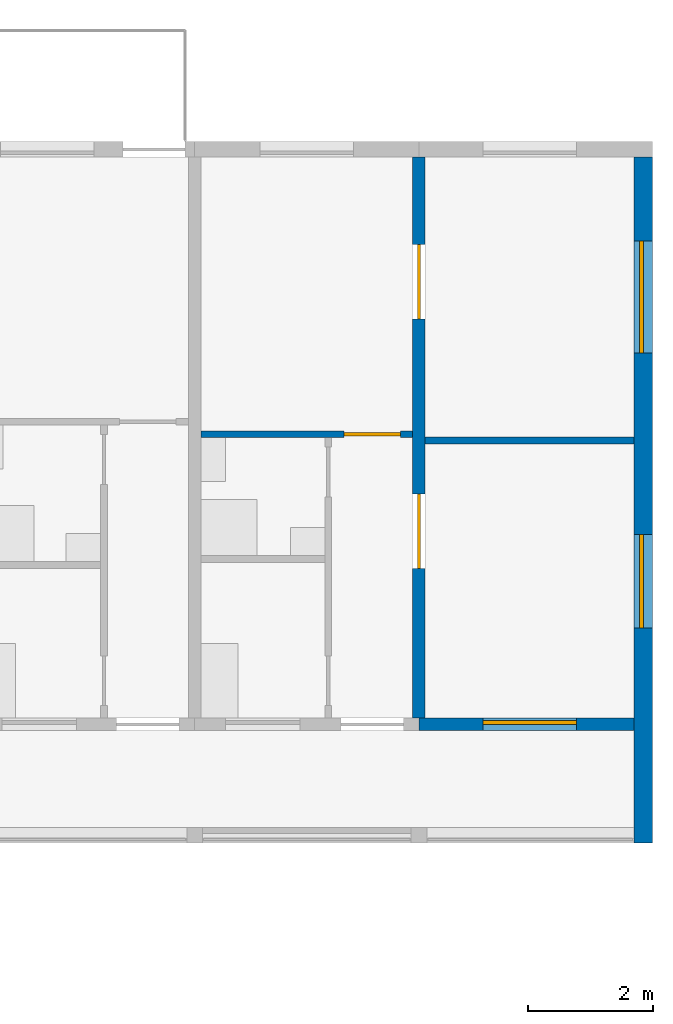
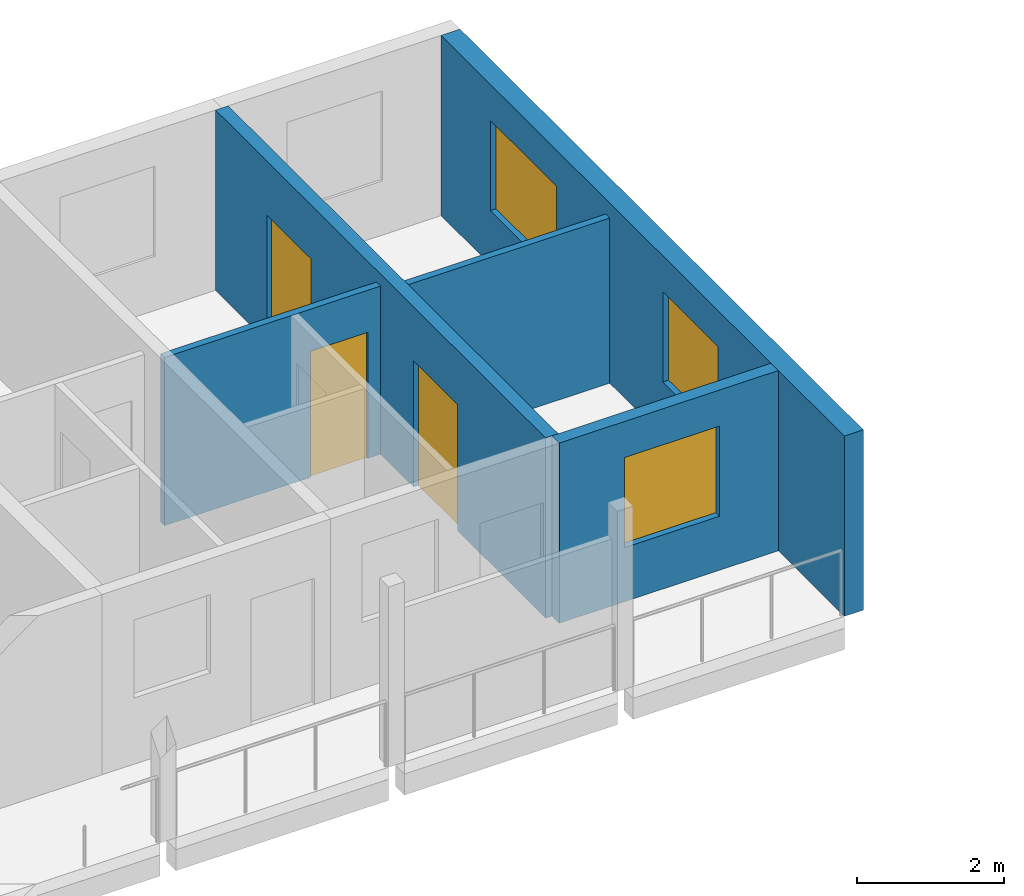
# One storey, part 58 of 93: 5 walls, 3 doors, 3 windows, 6 openings.
"""IFC4 building model written with IfcOpenShell, lengths in metres."""

from ifc_helpers import new_model, si_unit, direction, frame, frame_2d, origin, place, context, subcontext, project, spatial, rectangle, extrude, material, layer, layer_set, type_object, element, fill, save


model = new_model("IFC4")

# Units and contexts
model_context = context("Model", 3, precision=1e-05, world=origin(), true_north=direction((0.0, 1.0)))
body_context = subcontext(model_context, "Body", "Model", "MODEL_VIEW")
ifc_project = project(units=[si_unit("LENGTHUNIT", "METRE"), si_unit("AREAUNIT", "SQUARE_METRE"), si_unit("VOLUMEUNIT", "CUBIC_METRE"), si_unit("PLANEANGLEUNIT", "RADIAN"), si_unit("MASSUNIT", "GRAM", prefix="KILO")], contexts=[model_context])

# Site, building, storey
site_placement = place(None, origin())
site = spatial("IfcSite", under=ifc_project, at=site_placement, CompositionType="ELEMENT")
building_placement = place(site_placement, origin())
building = spatial("IfcBuilding", under=site, at=building_placement, Name="Ridgestep Commons", CompositionType="ELEMENT")
storey_placement = place(building_placement, frame((0.0, 0.0, 18.0)))
storey = spatial("IfcBuildingStorey", under=building, at=storey_placement, Name="L06", CompositionType="ELEMENT", Elevation=18.0)

# Wall, openings, doors
ifc_material_1 = material(Name="Precast concrete C40/50", Category="concrete")
ifc_layer_1 = layer(ifc_material_1, 0.199951171875)
ifc_layer_set_1 = layer_set([ifc_layer_1], Name="Cross wall 200")
wall_type_1 = type_object("IfcWallType", Name="Cross wall 200", PredefinedType="SHEAR", material=ifc_layer_set_1)
wall_1_placement = place(storey_placement, frame((244.0, 68.0, 0.0), z_axis=(0.0, 0.0, 1.0), x_axis=(0.0, 1.0, 0.0)))
wall_1 = element("IfcWall", 1, at=wall_1_placement, inside=storey, type_object=wall_type_1, Name="Cross wall C-06-2440", PredefinedType="SHEAR", context=body_context, shape_type="SweptSolid", body=[
    extrude(rectangle(XDim=9.0, YDim=0.199951171875, at=frame_2d((4.5, 0.0))), origin(), (0.0, 0.0, 1.0), 3.0),
])
opening_1_placement = place(wall_1_placement, frame((2.39990234375, 0.0, 0.0)))
opening_1 = element("IfcOpeningElement", 2, at=opening_1_placement, cuts=wall_1, Name="Opening C6-06a/5", PredefinedType="OPENING", context=body_context, shape_type="SweptSolid", body=[
    extrude(rectangle(XDim=1.199951171875, YDim=2.10009765625, at=frame_2d((0.60009765625, 1.050048828125))), frame((0.0, 0.10986328125, 0.0), z_axis=(0.0, -1.0, 0.0), x_axis=(1.0, 0.0, 0.0)), (0.0, 0.0, 1.0), 0.219970703125),
])
opening_2_placement = place(wall_1_placement, frame((6.39990234375, 0.0, 0.0)))
opening_2 = element("IfcOpeningElement", 3, at=opening_2_placement, cuts=wall_1, Name="Opening C6-06a/6", PredefinedType="OPENING", context=body_context, shape_type="SweptSolid", body=[
    extrude(rectangle(XDim=1.199951171875, YDim=2.10009765625, at=frame_2d((0.60009765625, 1.050048828125))), frame((0.0, 0.10986328125, 0.0), z_axis=(0.0, -1.0, 0.0), x_axis=(1.0, 0.0, 0.0)), (0.0, 0.0, 1.0), 0.219970703125),
])
ifc_material_2 = material(Name="Timber door leaf", Category="wood")
door_type_1 = type_object("IfcDoorType", Name="Double door 1200 x 2100", OperationType="DOUBLE_DOOR_SINGLE_SWING", PredefinedType="DOOR", material=ifc_material_2)
door_1_placement = place(opening_1_placement, origin())
door_1 = element("IfcDoor", 4, at=door_1_placement, inside=storey, type_object=door_type_1, Name="Double door C6-06a/5", OperationType="DOUBLE_DOOR_SINGLE_SWING", OverallHeight=2.10009765625, OverallWidth=1.199951171875, PredefinedType="DOOR", context=body_context, shape_type="SweptSolid", body=[
    extrude(rectangle(XDim=1.199951171875, YDim=2.10009765625, at=frame_2d((0.60009765625, 1.050048828125))), frame((0.0, 0.02490234375, 0.0), z_axis=(0.0, -1.0, 0.0), x_axis=(1.0, 0.0, 0.0)), (0.0, 0.0, 1.0), 0.050048828125),
])
fill(opening_1, door_1)
door_2_placement = place(opening_2_placement, origin())
door_2 = element("IfcDoor", 5, at=door_2_placement, inside=storey, type_object=door_type_1, Name="Double door C6-06a/6", OperationType="DOUBLE_DOOR_SINGLE_SWING", OverallHeight=2.10009765625, OverallWidth=1.199951171875, PredefinedType="DOOR", context=body_context, shape_type="SweptSolid", body=[
    extrude(rectangle(XDim=1.199951171875, YDim=2.10009765625, at=frame_2d((0.60009765625, 1.050048828125))), frame((0.0, 0.02490234375, 0.0), z_axis=(0.0, -1.0, 0.0), x_axis=(1.0, 0.0, 0.0)), (0.0, 0.0, 1.0), 0.050048828125),
])
fill(opening_2, door_2)

# Wall, openings, windows
ifc_material_3 = material(Name="Precast concrete C40/50", Category="concrete")
ifc_layer_2 = layer(ifc_material_3, 0.300048828125)
ifc_layer_set_2 = layer_set([ifc_layer_2], Name="Exposed division wall 300")
wall_type_2 = type_object("IfcWallType", Name="Exposed division wall 300", PredefinedType="SHEAR", material=ifc_layer_set_2)
wall_2_placement = place(storey_placement, frame((247.60009765625, 66.0, 0.0), z_axis=(0.0, 0.0, 1.0), x_axis=(0.0, 1.0, 0.0)))
wall_2 = element("IfcWall", 6, at=wall_2_placement, inside=storey, type_object=wall_type_2, Name="Cross wall C-06-2476", PredefinedType="SHEAR", context=body_context, shape_type="SweptSolid", body=[
    extrude(rectangle(XDim=11.0, YDim=0.300048828125, at=frame_2d((5.5, 0.0))), origin(), (0.0, 0.0, 1.0), 3.0),
])
opening_3_placement = place(wall_2_placement, frame((3.449951171875, 0.0, 0.89990234375)))
opening_3 = element("IfcOpeningElement", 7, at=opening_3_placement, cuts=wall_2, Name="Opening W16", PredefinedType="OPENING", context=body_context, shape_type="SweptSolid", body=[
    extrude(rectangle(XDim=1.5, YDim=1.5, at=frame_2d((0.75, 0.75))), frame((0.0, 0.159912109375, 0.0), z_axis=(0.0, -1.0, 0.0), x_axis=(1.0, 0.0, 0.0)), (0.0, 0.0, 1.0), 0.320068359375),
])
opening_4_placement = place(wall_2_placement, frame((7.85498046875, 0.0, 0.89990234375)))
opening_4 = element("IfcOpeningElement", 8, at=opening_4_placement, cuts=wall_2, Name="Opening W20", PredefinedType="OPENING", context=body_context, shape_type="SweptSolid", body=[
    extrude(rectangle(XDim=1.800048828125, YDim=1.5, at=frame_2d((0.89990234375, 0.75))), frame((0.0, 0.159912109375, 0.0), z_axis=(0.0, -1.0, 0.0), x_axis=(1.0, 0.0, 0.0)), (0.0, 0.0, 1.0), 0.320068359375),
])
ifc_material_4 = material(Name="Aluminium 6063-T6 and glass", Category="aluminium")
window_type_1 = type_object("IfcWindowType", Name="Flat window 1500 x 1500", PartitioningType="DOUBLE_PANEL_VERTICAL", PredefinedType="WINDOW", material=ifc_material_4)
window_1_placement = place(opening_3_placement, origin())
window_1 = element("IfcWindow", 9, at=window_1_placement, inside=storey, type_object=window_type_1, Name="Window C6-06a 5", OverallHeight=1.5, OverallWidth=1.5, PartitioningType="SINGLE_PANEL", PredefinedType="WINDOW", context=body_context, shape_type="SweptSolid", body=[
    extrude(rectangle(XDim=1.5, YDim=1.5, at=frame_2d((0.75, 0.75))), frame((0.0, 0.06005859375, 0.0), z_axis=(0.0, -1.0, 0.0), x_axis=(1.0, 0.0, 0.0)), (0.0, 0.0, 1.0), 0.06005859375),
])
fill(opening_3, window_1)
ifc_material_5 = material(Name="Aluminium 6063-T6 and glass", Category="aluminium")
window_type_2 = type_object("IfcWindowType", Name="Flat window 1800 x 1500", PartitioningType="DOUBLE_PANEL_VERTICAL", PredefinedType="WINDOW", material=ifc_material_5)
window_2_placement = place(opening_4_placement, origin())
window_2 = element("IfcWindow", 10, at=window_2_placement, inside=storey, type_object=window_type_2, Name="Window C6-06a 6", OverallHeight=1.5, OverallWidth=1.800048828125, PartitioningType="SINGLE_PANEL", PredefinedType="WINDOW", context=body_context, shape_type="SweptSolid", body=[
    extrude(rectangle(XDim=1.800048828125, YDim=1.5, at=frame_2d((0.89990234375, 0.75))), frame((0.0, 0.06005859375, 0.0), z_axis=(0.0, -1.0, 0.0), x_axis=(1.0, 0.0, 0.0)), (0.0, 0.0, 1.0), 0.06005859375),
])
fill(opening_4, window_2)

# Wall, opening, door
ifc_material_6 = material(Name="Common brick 110 mm", Category="masonry")
ifc_layer_3 = layer(ifc_material_6, 0.110107421875)
ifc_layer_set_3 = layer_set([ifc_layer_3], Name="Partition 110")
wall_type_3 = type_object("IfcWallType", Name="Partition 110", PredefinedType="PARTITIONING", material=ifc_layer_set_3)
wall_3_placement = place(storey_placement, frame((240.5, 72.554931640625, 0.0), z_axis=(0.0, 0.0, 1.0), x_axis=(1.0, 0.0, 0.0)))
wall_3 = element("IfcWall", 11, at=wall_3_placement, inside=storey, type_object=wall_type_3, Name="Partition C6-06a", PredefinedType="PARTITIONING", context=body_context, shape_type="SweptSolid", body=[
    extrude(rectangle(XDim=3.39990234375, YDim=0.110107421875, at=frame_2d((1.699951171875, 0.0))), origin(), (0.0, 0.0, 1.0), 2.800048828125),
])
opening_5_placement = place(wall_3_placement, frame((2.300048828125, 0.0, 0.0)))
opening_5 = element("IfcOpeningElement", 12, at=opening_5_placement, cuts=wall_3, Name="Opening C6-06a/4", PredefinedType="OPENING", context=body_context, shape_type="SweptSolid", body=[
    extrude(rectangle(XDim=0.89990234375, YDim=2.10009765625, at=frame_2d((0.449951171875, 1.050048828125))), frame((0.0, 0.06494140625, 0.0), z_axis=(0.0, -1.0, 0.0), x_axis=(1.0, 0.0, 0.0)), (0.0, 0.0, 1.0), 0.130126953125),
])
ifc_material_7 = material(Name="Timber door leaf", Category="wood")
door_type_2 = type_object("IfcDoorType", Name="Internal door 900 x 2100", OperationType="NOTDEFINED", PredefinedType="DOOR", material=ifc_material_7)
door_3_placement = place(opening_5_placement, origin())
door_3 = element("IfcDoor", 13, at=door_3_placement, inside=storey, type_object=door_type_2, Name="Internal door C6-06a/4", OperationType="SINGLE_SWING_LEFT", OverallHeight=2.10009765625, OverallWidth=0.89990234375, PredefinedType="DOOR", context=body_context, shape_type="SweptSolid", body=[
    extrude(rectangle(XDim=0.89990234375, YDim=2.10009765625, at=frame_2d((0.449951171875, 1.050048828125))), frame((0.0, 0.02490234375, 0.0), z_axis=(0.0, -1.0, 0.0), x_axis=(1.0, 0.0, 0.0)), (0.0, 0.0, 1.0), 0.050048828125),
])
fill(opening_5, door_3)

# Wall
wall_4_placement = place(storey_placement, frame((244.10009765625, 72.455078125, 0.0), z_axis=(0.0, 0.0, 1.0), x_axis=(1.0, 0.0, 0.0)))
element("IfcWall", 14, at=wall_4_placement, inside=storey, type_object=wall_type_3, Name="Partition C6-06a", PredefinedType="PARTITIONING", context=body_context, shape_type="SweptSolid", body=[
    extrude(rectangle(XDim=3.349853515625, YDim=0.110107421875, at=frame_2d((1.6748046875, 0.0))), origin(), (0.0, 0.0, 1.0), 2.75),
])

# Wall, opening, window
ifc_material_8 = material(Name="Precast concrete C40/50", Category="concrete")
ifc_layer_4 = layer(ifc_material_8, 0.199951171875)
ifc_layer_set_4 = layer_set([ifc_layer_4], Name="South facade panel 200")
wall_type_4 = type_object("IfcWallType", Name="South facade panel 200", PredefinedType="SOLIDWALL", material=ifc_layer_set_4)
wall_5_placement = place(storey_placement, frame((244.0, 67.89990234375, 0.0), z_axis=(0.0, 0.0, 1.0), x_axis=(1.0, 0.0, 0.0)))
wall_5 = element("IfcWall", 15, at=wall_5_placement, inside=storey, type_object=wall_type_4, Name="South panel C6T1 L06", PredefinedType="SOLIDWALL", context=body_context, shape_type="SweptSolid", body=[
    extrude(rectangle(XDim=3.449951171875, YDim=0.199951171875, at=frame_2d((1.72509765625, 0.0))), origin(), (0.0, 0.0, 1.0), 3.0),
])
opening_6_placement = place(wall_5_placement, frame((1.02490234375, 0.0, 0.89990234375)))
opening_6 = element("IfcOpeningElement", 16, at=opening_6_placement, cuts=wall_5, Name="Opening W16", PredefinedType="OPENING", context=body_context, shape_type="SweptSolid", body=[
    extrude(rectangle(XDim=1.5, YDim=1.5, at=frame_2d((0.75, 0.75))), frame((0.0, 0.10986328125, 0.0), z_axis=(0.0, -1.0, 0.0), x_axis=(1.0, 0.0, 0.0)), (0.0, 0.0, 1.0), 0.219970703125),
])
window_3_placement = place(opening_6_placement, origin())
window_3 = element("IfcWindow", 17, at=window_3_placement, inside=storey, type_object=window_type_1, Name="Window C6-06a 1", OverallHeight=1.5, OverallWidth=1.5, PartitioningType="SINGLE_PANEL", PredefinedType="WINDOW", context=body_context, shape_type="SweptSolid", body=[
    extrude(rectangle(XDim=1.5, YDim=1.5, at=frame_2d((0.75, 0.75))), frame((0.0, 0.06005859375, 0.0), z_axis=(0.0, -1.0, 0.0), x_axis=(1.0, 0.0, 0.0)), (0.0, 0.0, 1.0), 0.06005859375),
])
fill(opening_6, window_3)

save(model, "model.ifc")
